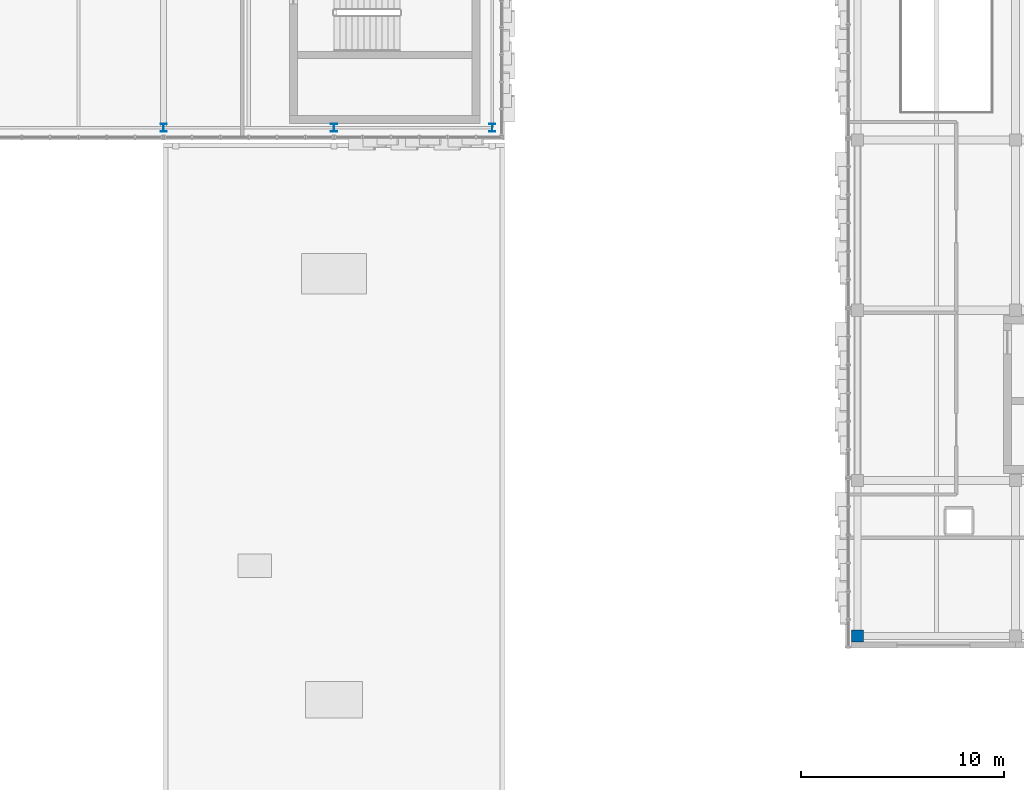
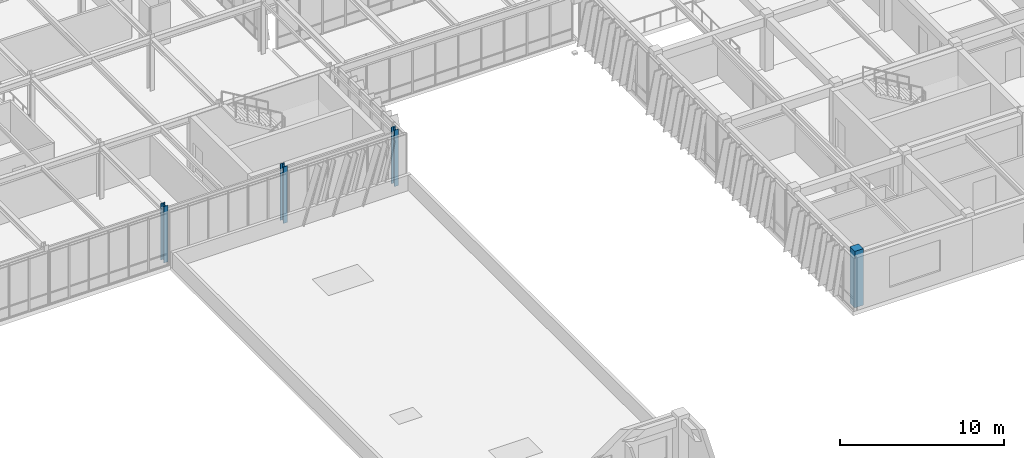
# One storey, part 5 of 127: 4 columns.
"""IFC4 building model written with IfcOpenShell, lengths in metres."""

from ifc_helpers import new_model, si_unit, direction, frame, origin, origin_2d, place, context, subcontext, project, spatial, rectangle, i_section, extrude, material, material_profile, profile_set, type_object, element, save


model = new_model("IFC4")

# Units and contexts
model_context = context("Model", 3, precision=1e-05, world=origin(), true_north=direction((0.0, 1.0)))
body_context = subcontext(model_context, "Body", "Model", "MODEL_VIEW")
ifc_project = project(units=[si_unit("LENGTHUNIT", "METRE"), si_unit("AREAUNIT", "SQUARE_METRE"), si_unit("VOLUMEUNIT", "CUBIC_METRE"), si_unit("PLANEANGLEUNIT", "RADIAN"), si_unit("MASSUNIT", "GRAM", prefix="KILO")], contexts=[model_context])

# Site, building, storey
site_placement = place(None, origin())
site = spatial("IfcSite", under=ifc_project, at=site_placement, CompositionType="ELEMENT")
building_placement = place(site_placement, origin())
building = spatial("IfcBuilding", under=site, at=building_placement, Name="Zayran Congress Hotel", CompositionType="ELEMENT")
storey_placement = place(building_placement, frame((0.0, 0.0, 10.800048828125)))
storey = spatial("IfcBuildingStorey", under=building, at=storey_placement, Name="L02", CompositionType="ELEMENT", Elevation=10.800048828125)

# Columns
ifc_material_1 = material(Name="Concrete C40/50", Category="concrete")
ifc_material_profile_1 = material_profile(ifc_material_1, rectangle(XDim=0.60009765625, YDim=0.60009765625, at=origin_2d()), Name="RC 600x600")
ifc_profile_set_1 = profile_set([ifc_material_profile_1], Name="Concrete C40/50")
column_type_1 = type_object("IfcColumnType", Name="TP-CL-04", PredefinedType="COLUMN", material=ifc_profile_set_1)
column_placement = place(storey_placement, frame((109.800048828125, 43.14990234375, 0.0), z_axis=(0.0, 0.0, 1.0), x_axis=(1.0, 0.0, 0.0)))
element("IfcColumn", 1, at=column_placement, inside=storey, type_object=column_type_1, Name="COL-V4-L02-0793", PredefinedType="COLUMN", context=body_context, shape_type="SweptSolid", body=[
    extrude(rectangle(XDim=0.60009765625, YDim=0.60009765625, at=origin_2d()), origin(), (0.0, 0.0, 1.0), 4.199951171875),
])
ifc_material_2 = material(Name="Steel S355", Category="steel")
ifc_material_profile_2 = material_profile(ifc_material_2, i_section(OverallWidth=0.300048828125, OverallDepth=0.39990234375, WebThickness=0.013427734375, FlangeThickness=0.02392578125, at=origin_2d()), Name="HEB 400")
ifc_profile_set_2 = profile_set([ifc_material_profile_2], Name="Steel S355")
column_type_2 = type_object("IfcColumnType", Name="TP-CL-07", PredefinedType="COLUMN", material=ifc_profile_set_2)
for number, where, z_axis, x_axis, name in (
    (2, (75.60009765625, 68.199951171875, 0.0), (0.0, 0.0, 1.0), (1.0, 0.0, 0.0), "COL-V1-L02-0433"),
    (3, (84.0, 68.199951171875, 0.0), (0.0, 0.0, 1.0), (1.0, 0.0, 0.0), "COL-V1-L02-0440"),
    (4, (91.800048828125, 68.199951171875, 0.0), (0.0, 0.0, 1.0), (1.0, 0.0, 0.0), "COL-V1-L02-0447"),
):
    element("IfcColumn", number, at=place(storey_placement, frame(where, z_axis=z_axis, x_axis=x_axis)), inside=storey, type_object=column_type_2, Name=name, PredefinedType="COLUMN", context=body_context, shape_type="SweptSolid", body=[
        extrude(i_section(OverallWidth=0.300048828125, OverallDepth=0.39990234375, WebThickness=0.013427734375, FlangeThickness=0.02392578125, at=origin_2d()), origin(), (0.0, 0.0, 1.0), 4.199951171875),
    ])

save(model, "model.ifc")
